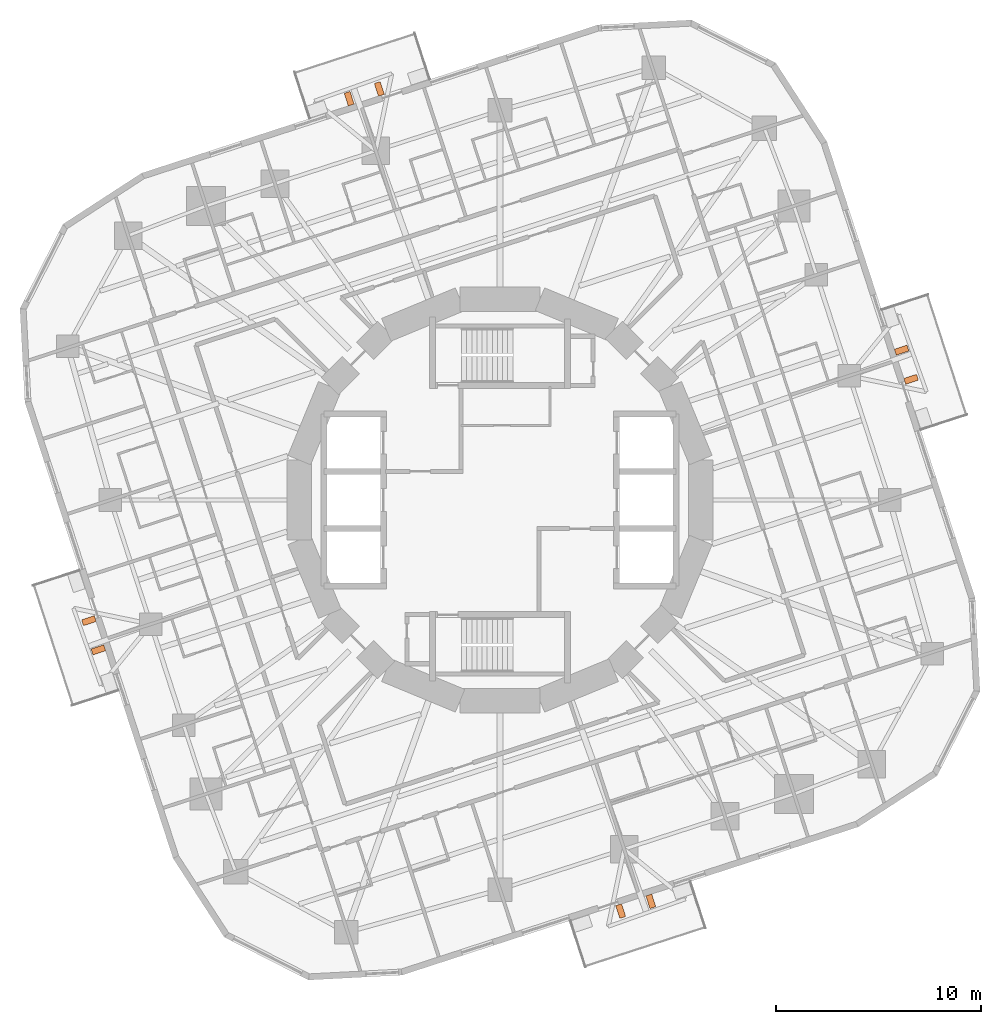
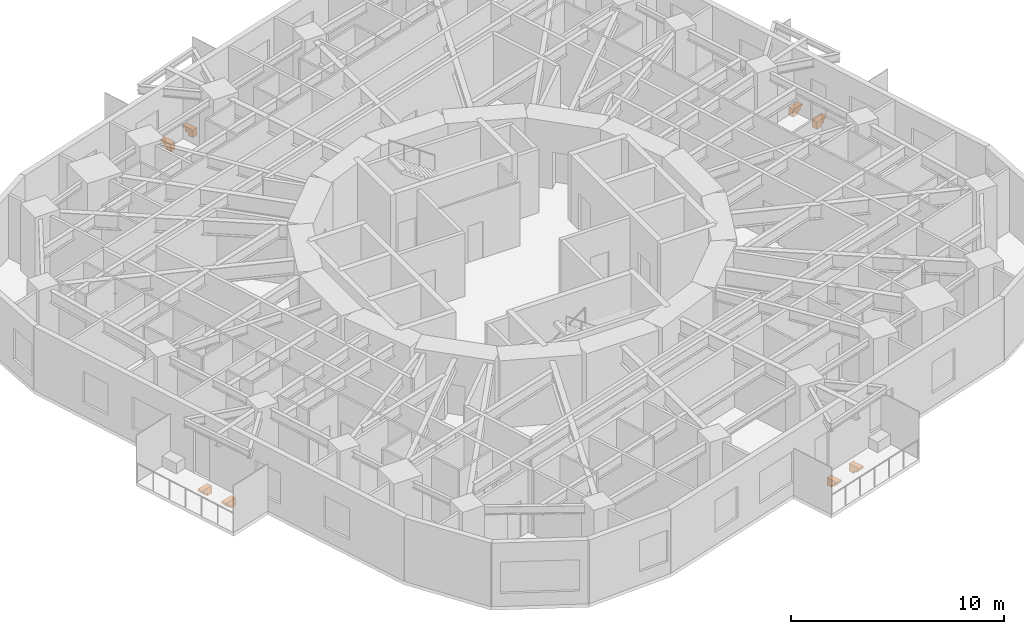
# One storey, part 13 of 13: 8 proxies.
"""IFC4 building model written with IfcOpenShell, lengths in metres."""

from ifc_helpers import new_model, si_unit, direction, frame, origin, place, context, subcontext, project, spatial, polyline, outline, extrude, material, type_object, element, save


model = new_model("IFC4")

# Units and contexts
model_context = context("Model", 3, precision=1e-05, world=origin(), true_north=direction((0.0, 1.0)))
body_context = subcontext(model_context, "Body", "Model", "MODEL_VIEW")
ifc_project = project(units=[si_unit("LENGTHUNIT", "METRE"), si_unit("AREAUNIT", "SQUARE_METRE"), si_unit("VOLUMEUNIT", "CUBIC_METRE"), si_unit("PLANEANGLEUNIT", "RADIAN"), si_unit("MASSUNIT", "GRAM", prefix="KILO")], contexts=[model_context])

# Site, building, storey
site_placement = place(None, origin())
site = spatial("IfcSite", under=ifc_project, at=site_placement, CompositionType="ELEMENT")
building_placement = place(site_placement, origin())
building = spatial("IfcBuilding", under=site, at=building_placement, Name="Nakasero Lantern House", CompositionType="ELEMENT")
storey_placement = place(building_placement, frame((0.0, 0.0, 164.89990234375)))
storey = spatial("IfcBuildingStorey", under=building, at=storey_placement, Name="L40", CompositionType="ELEMENT", Elevation=164.89990234375)

# Proxies
ifc_material = material(Name="Concrete C40/50 precast", Category="concrete")
building_element_proxy_type = type_object("IfcBuildingElementProxyType", Name="Balcony bracket 300", PredefinedType="USERDEFINED", material=ifc_material)
for number, where, z_axis, x_axis, name in (
    (1, (19.777099609375, 5.795166015625, -0.199951171875), (0.0, 0.0, 1.0), (0.951056516, 0.309016994, 0.0), "Balcony bracket L40 0A"),
    (2, (19.313720703125, 7.2216796875, -0.199951171875), (0.0, 0.0, 1.0), (0.951056516, 0.309016994, 0.0), "Balcony bracket L40 0B"),
    (3, (-5.795166015625, 19.777099609375, -0.199951171875), (0.0, 0.0, 1.0), (-0.309016994, 0.951056516, 0.0), "Balcony bracket L40 1A"),
    (4, (-7.269287109375, 19.298095703125, -0.199951171875), (0.0, 0.0, 1.0), (-0.309016994, 0.951056516, 0.0), "Balcony bracket L40 1B"),
    (5, (-19.777099609375, -5.795166015625, -0.199951171875), (0.0, 0.0, 1.0), (-0.951056516, -0.309016994, 0.0), "Balcony bracket L40 2A"),
    (6, (-19.313720703125, -7.2216796875, -0.199951171875), (0.0, 0.0, 1.0), (-0.951056516, -0.309016994, 0.0), "Balcony bracket L40 2B"),
    (7, (5.795166015625, -19.777099609375, -0.199951171875), (0.0, 0.0, 1.0), (0.309016994, -0.951056516, 0.0), "Balcony bracket L40 3A"),
    (8, (7.269287109375, -19.298095703125, -0.199951171875), (0.0, 0.0, 1.0), (0.309016994, -0.951056516, 0.0), "Balcony bracket L40 3B"),
):
    element("IfcBuildingElementProxy", number, at=place(storey_placement, frame(where, z_axis=z_axis, x_axis=x_axis)), inside=storey, type_object=building_element_proxy_type, Name=name, ObjectType="BALCONY BRACKET", PredefinedType="USERDEFINED", context=body_context, shape_type="SweptSolid", body=[
        extrude(outline(polyline([(0.0, 0.0), (0.64990234375, 0.0), (0.64990234375, -0.1201171875), (0.5, -0.1201171875), (0.5, -0.280029296875), (0.300048828125, -0.280029296875), (0.300048828125, -0.43994140625), (0.0, -0.43994140625), (0.0, 0.0)])), frame((0.0, 0.14990234375, 0.0), z_axis=(0.0, -1.0, 0.0), x_axis=(1.0, 0.0, 0.0)), (0.0, 0.0, 1.0), 0.300048828125),
    ])

save(model, "model.ifc")
